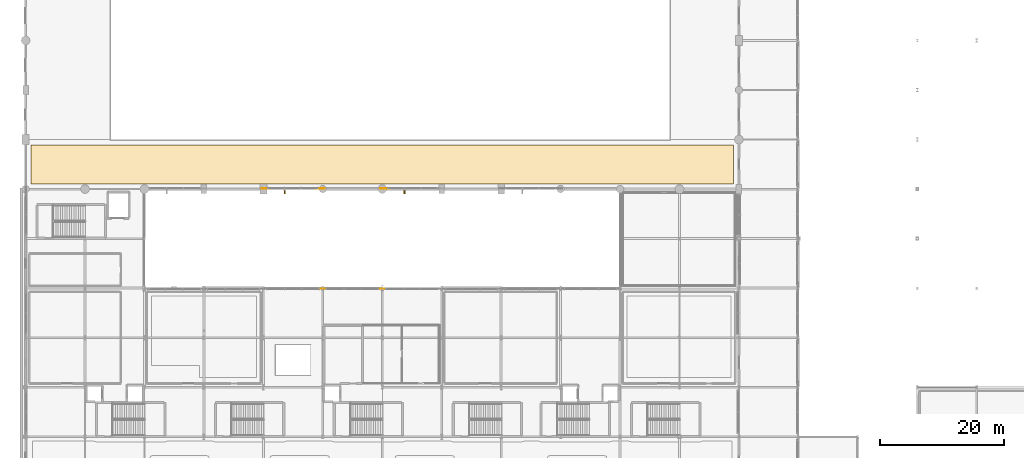
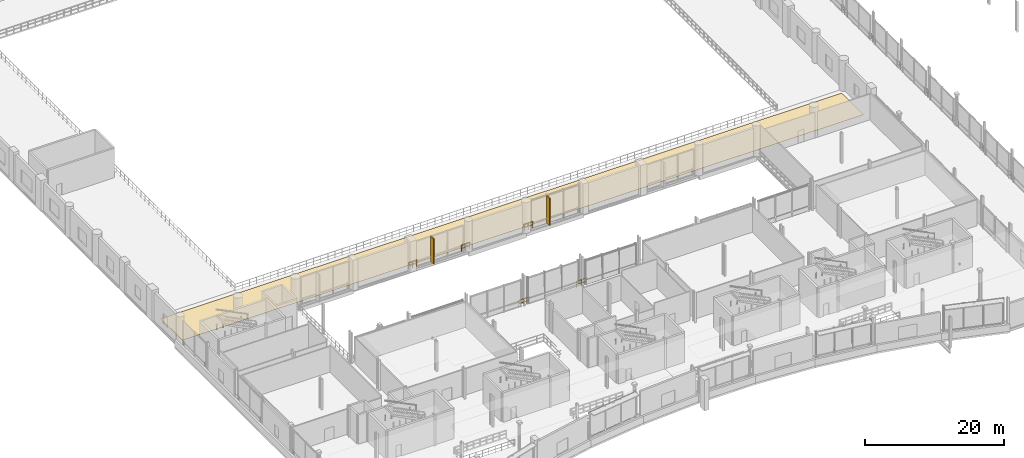
# One storey, part 109 of 129: 5 railings, 2 shading devices, 1 covering.
"""IFC4 building model written with IfcOpenShell, lengths in metres."""

from ifc_helpers import new_model, si_unit, direction, frame, origin, origin_2d, place, context, subcontext, project, spatial, polyline, rectangle, circle, outline, extrude, material, layer, layer_set, type_object, element, save


model = new_model("IFC4")

# Units and contexts
model_context = context("Model", 3, precision=1e-05, world=origin(), true_north=direction((0.0, 1.0)))
body_context = subcontext(model_context, "Body", "Model", "MODEL_VIEW")
ifc_project = project(units=[si_unit("LENGTHUNIT", "METRE"), si_unit("AREAUNIT", "SQUARE_METRE"), si_unit("VOLUMEUNIT", "CUBIC_METRE"), si_unit("PLANEANGLEUNIT", "RADIAN"), si_unit("MASSUNIT", "GRAM", prefix="KILO")], contexts=[model_context])

# Site, building, storey
site_placement = place(None, origin())
site = spatial("IfcSite", under=ifc_project, at=site_placement, CompositionType="ELEMENT")
building_placement = place(site_placement, origin())
building = spatial("IfcBuilding", under=site, at=building_placement, Name="Danafjord Basin Convention Centre", CompositionType="ELEMENT")
storey_placement = place(building_placement, frame((0.0, 0.0, 6.0)))
storey = spatial("IfcBuildingStorey", under=building, at=storey_placement, Name="L01", CompositionType="ELEMENT", Elevation=6.0)

# Covering
ifc_material_1 = material(Name="Polished Bohus granite terrazzo", Category="masonry")
ifc_layer = layer(ifc_material_1, 0.030029296875)
ifc_layer_set = layer_set([ifc_layer], Name="Polished Bohus granite terrazzo")
covering_type = type_object("IfcCoveringType", Name="COV-FLR-TER01", PredefinedType="FLOORING", material=ifc_layer_set)
covering_placement = place(storey_placement, origin())
element("IfcCovering", 1, at=covering_placement, inside=storey, type_object=covering_type, Name="South Mezzanine Pre-Function Foyer finish flooring", PredefinedType="FLOORING", context=body_context, shape_type="SweptSolid", body=[
    extrude(outline(polyline([(114.35009765625, 63.14990234375), (114.35009765625, 56.85009765625), (0.85009765625, 56.85009765625), (0.85009765625, 63.14990234375), (114.35009765625, 63.14990234375)])), origin(), (0.0, 0.0, 1.0), 0.030029296875),
])

# Railings
ifc_material_2 = material(Name="Laminated structural glass and stainless steel", Category="steel")
railing_type = type_object("IfcRailingType", Name="RL-BAL-GLS", PredefinedType="BALUSTRADE", material=ifc_material_2)
railing_1_placement = place(storey_placement, frame((47.1201171875, 39.919921875, 0.0)))
element("IfcRailing", 2, at=railing_1_placement, inside=storey, type_object=railing_type, Name="L01 safety guard balustrade 91", PredefinedType="BALUSTRADE", context=body_context, shape_type="SweptSolid", body=[
    extrude(circle(Radius=0.02392578125, at=origin_2d()), frame((0.0, 0.0, 1.1259765625), z_axis=(1.0, 0.0, 0.0), x_axis=(0.0, 1.0, 0.0)), (0.0, 0.0, 1.0), 1.759765625),
    extrude(circle(Radius=0.02392578125, at=origin_2d()), frame((0.0, 0.0, 0.55078125), z_axis=(1.0, 0.0, 0.0), x_axis=(0.0, 1.0, 0.0)), (0.0, 0.0, 1.0), 1.759765625),
    extrude(circle(Radius=0.02099609375, at=origin_2d()), origin(), (0.0, 0.0, 1.0), 1.099853515625),
    extrude(circle(Radius=0.02099609375, at=origin_2d()), frame((0.8798828125, 0.0, 0.0)), (0.0, 0.0, 1.0), 1.099853515625),
    extrude(circle(Radius=0.02099609375, at=origin_2d()), frame((1.759765625, 0.0, 0.0)), (0.0, 0.0, 1.0), 1.099853515625),
])
railing_2_placement = place(storey_placement, frame((56.719970703125, 39.919921875, 0.0)))
element("IfcRailing", 3, at=railing_2_placement, inside=storey, type_object=railing_type, Name="L01 safety guard balustrade 92", PredefinedType="BALUSTRADE", context=body_context, shape_type="SweptSolid", body=[
    extrude(circle(Radius=0.02392578125, at=origin_2d()), frame((0.0, 0.0, 1.1259765625), z_axis=(1.0, 0.0, 0.0), x_axis=(0.0, 1.0, 0.0)), (0.0, 0.0, 1.0), 1.760009765625),
    extrude(circle(Radius=0.02392578125, at=origin_2d()), frame((0.0, 0.0, 0.55078125), z_axis=(1.0, 0.0, 0.0), x_axis=(0.0, 1.0, 0.0)), (0.0, 0.0, 1.0), 1.760009765625),
    extrude(circle(Radius=0.02099609375, at=origin_2d()), origin(), (0.0, 0.0, 1.0), 1.099853515625),
    extrude(circle(Radius=0.02099609375, at=origin_2d()), frame((0.8798828125, 0.0, 0.0)), (0.0, 0.0, 1.0), 1.099853515625),
    extrude(circle(Radius=0.02099609375, at=origin_2d()), frame((1.760009765625, 0.0, 0.0)), (0.0, 0.0, 1.0), 1.099853515625),
])
railing_3_placement = place(storey_placement, frame((58.780029296875, 56.080078125, 0.0)))
element("IfcRailing", 4, at=railing_3_placement, inside=storey, type_object=railing_type, Name="L01 safety guard balustrade 100", PredefinedType="BALUSTRADE", context=body_context, shape_type="SweptSolid", body=[
    extrude(circle(Radius=0.02392578125, at=origin_2d()), frame((0.0, 0.0, 1.1259765625), z_axis=(-1.0, 0.0, 0.0), x_axis=(0.0, -1.0, 0.0)), (0.0, 0.0, 1.0), 1.4599609375),
    extrude(circle(Radius=0.02392578125, at=origin_2d()), frame((0.0, 0.0, 0.55078125), z_axis=(-1.0, 0.0, 0.0), x_axis=(0.0, -1.0, 0.0)), (0.0, 0.0, 1.0), 1.4599609375),
    extrude(circle(Radius=0.02099609375, at=origin_2d()), origin(), (0.0, 0.0, 1.0), 1.099853515625),
    extrude(circle(Radius=0.02099609375, at=origin_2d()), frame((-0.72998046875, 0.0, 0.0)), (0.0, 0.0, 1.0), 1.099853515625),
    extrude(circle(Radius=0.02099609375, at=origin_2d()), frame((-1.4599609375, 0.0, 0.0)), (0.0, 0.0, 1.0), 1.099853515625),
])
railing_4_placement = place(storey_placement, frame((48.280029296875, 56.080078125, 0.0)))
element("IfcRailing", 5, at=railing_4_placement, inside=storey, type_object=railing_type, Name="L01 safety guard balustrade 101", PredefinedType="BALUSTRADE", context=body_context, shape_type="SweptSolid", body=[
    extrude(circle(Radius=0.02392578125, at=origin_2d()), frame((0.0, 0.0, 1.1259765625), z_axis=(-1.0, 0.0, 0.0), x_axis=(0.0, -1.0, 0.0)), (0.0, 0.0, 1.0), 1.360107421875),
    extrude(circle(Radius=0.02392578125, at=origin_2d()), frame((0.0, 0.0, 0.55078125), z_axis=(-1.0, 0.0, 0.0), x_axis=(0.0, -1.0, 0.0)), (0.0, 0.0, 1.0), 1.360107421875),
    extrude(circle(Radius=0.02099609375, at=origin_2d()), origin(), (0.0, 0.0, 1.0), 1.099853515625),
    extrude(circle(Radius=0.02099609375, at=origin_2d()), frame((-0.68017578125, 0.0, 0.0)), (0.0, 0.0, 1.0), 1.099853515625),
    extrude(circle(Radius=0.02099609375, at=origin_2d()), frame((-1.360107421875, 0.0, 0.0)), (0.0, 0.0, 1.0), 1.099853515625),
])
railing_5_placement = place(storey_placement, frame((39.429931640625, 56.080078125, 0.0)))
element("IfcRailing", 6, at=railing_5_placement, inside=storey, type_object=railing_type, Name="L01 safety guard balustrade 102", PredefinedType="BALUSTRADE", context=body_context, shape_type="SweptSolid", body=[
    extrude(circle(Radius=0.02392578125, at=origin_2d()), frame((0.0, 0.0, 1.1259765625), z_axis=(-1.0, 0.0, 0.0), x_axis=(0.0, -1.0, 0.0)), (0.0, 0.0, 1.0), 1.309814453125),
    extrude(circle(Radius=0.02392578125, at=origin_2d()), frame((0.0, 0.0, 0.55078125), z_axis=(-1.0, 0.0, 0.0), x_axis=(0.0, -1.0, 0.0)), (0.0, 0.0, 1.0), 1.309814453125),
    extrude(circle(Radius=0.02099609375, at=origin_2d()), origin(), (0.0, 0.0, 1.0), 1.099853515625),
    extrude(circle(Radius=0.02099609375, at=origin_2d()), frame((-0.65478515625, 0.0, 0.0)), (0.0, 0.0, 1.0), 1.099853515625),
    extrude(circle(Radius=0.02099609375, at=origin_2d()), frame((-1.309814453125, 0.0, 0.0)), (0.0, 0.0, 1.0), 1.099853515625),
])

# Shading devices
ifc_material_3 = material(Name="Architectural white precast concrete C45/55", Category="concrete")
shading_device_type = type_object("IfcShadingDeviceType", Name="SHD-FIN-A", PredefinedType="USERDEFINED", material=ifc_material_3)
shading_device_1_placement = place(storey_placement, frame((41.833251953125, 55.679931640625, 0.080078125), z_axis=(0.0, 0.0, 1.0), x_axis=(1.0, 0.0, 0.0)))
element("IfcShadingDevice", 7, at=shading_device_1_placement, inside=storey, type_object=shading_device_type, Name="L01 architectural precast solar fin 4", ObjectType="FIN", PredefinedType="USERDEFINED", context=body_context, shape_type="SweptSolid", body=[
    extrude(rectangle(XDim=0.179931640625, YDim=0.840087890625, at=origin_2d()), origin(), (0.0, 0.0, 1.0), 4.419921875),
])
shading_device_2_placement = place(storey_placement, frame((61.183349609375, 55.679931640625, 0.080078125), z_axis=(0.0, 0.0, 1.0), x_axis=(1.0, 0.0, 0.0)))
element("IfcShadingDevice", 8, at=shading_device_2_placement, inside=storey, type_object=shading_device_type, Name="L01 architectural precast solar fin 6", ObjectType="FIN", PredefinedType="USERDEFINED", context=body_context, shape_type="SweptSolid", body=[
    extrude(rectangle(XDim=0.179931640625, YDim=0.840087890625, at=origin_2d()), origin(), (0.0, 0.0, 1.0), 4.7900390625),
])

save(model, "model.ifc")
